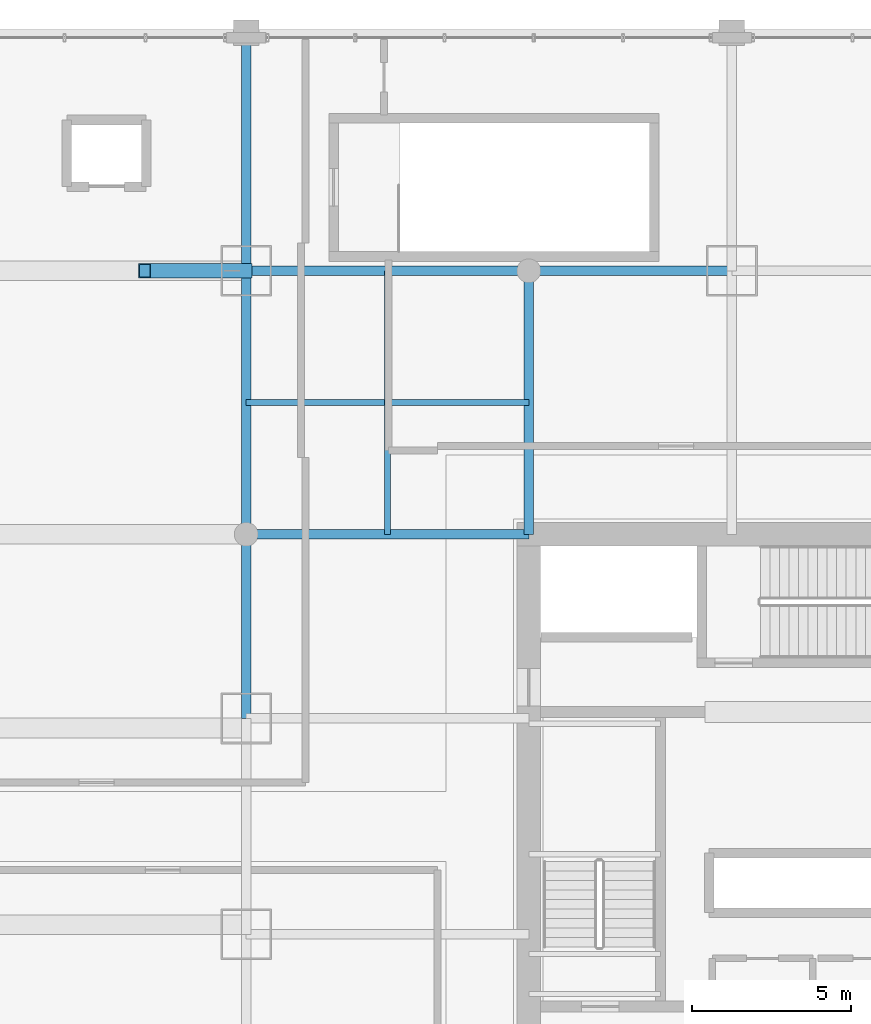
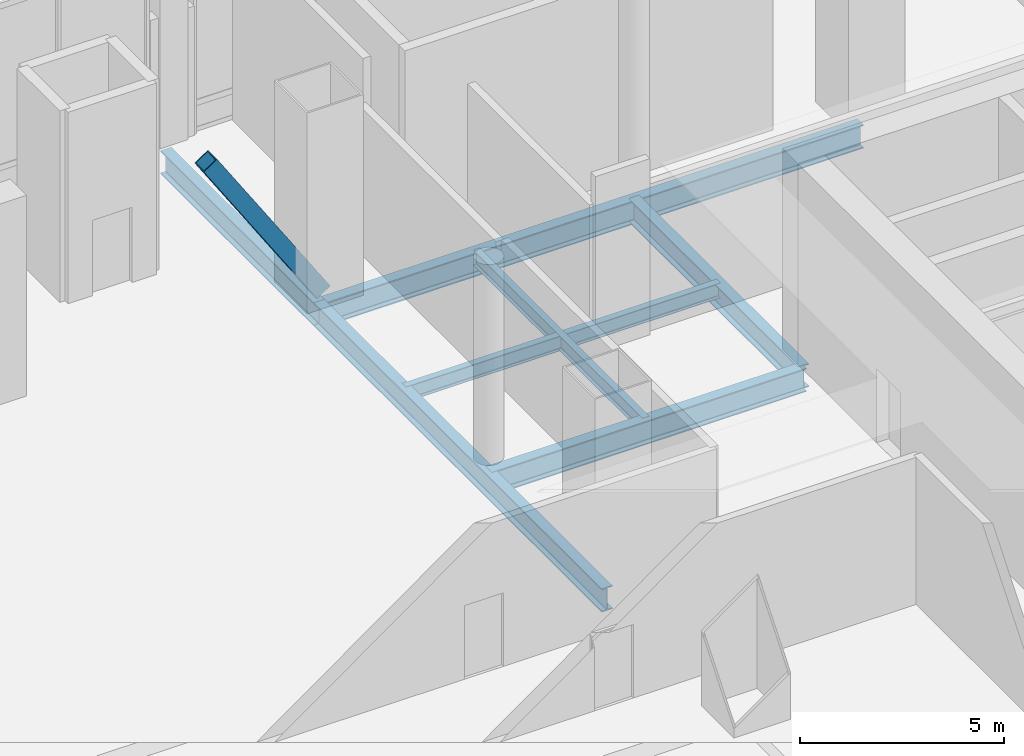
# One storey, part 12 of 38: 7 beams, 1 member.
"""IFC4 building model written with IfcOpenShell, lengths in metres."""

from ifc_helpers import new_model, si_unit, direction, frame, origin, origin_2d, place, context, subcontext, project, spatial, hollow_rectangle, i_section, extrude, material, material_profile, profile_set, type_object, element, save


model = new_model("IFC4")

# Units and contexts
model_context = context("Model", 3, precision=1e-05, world=origin(), true_north=direction((0.0, 1.0)))
body_context = subcontext(model_context, "Body", "Model", "MODEL_VIEW")
ifc_project = project(units=[si_unit("LENGTHUNIT", "METRE"), si_unit("AREAUNIT", "SQUARE_METRE"), si_unit("VOLUMEUNIT", "CUBIC_METRE"), si_unit("PLANEANGLEUNIT", "RADIAN"), si_unit("MASSUNIT", "GRAM", prefix="KILO")], contexts=[model_context])

# Site, building, storey
site_placement = place(None, origin())
site = spatial("IfcSite", under=ifc_project, at=site_placement, CompositionType="ELEMENT")
building_placement = place(site_placement, origin())
building = spatial("IfcBuilding", under=site, at=building_placement, Name="Punatoya Terracotta Tower", CompositionType="ELEMENT")
storey_placement = place(building_placement, frame((0.0, 0.0, 22.199951171875)))
storey = spatial("IfcBuildingStorey", under=building, at=storey_placement, Name="L04", CompositionType="ELEMENT", Elevation=22.199951171875)

# Beams
ifc_material_1 = material(Name="Steel S355", Category="steel")
ifc_material_profile_1 = material_profile(ifc_material_1, i_section(OverallWidth=0.300048828125, OverallDepth=0.699951171875, WebThickness=0.01708984375, FlangeThickness=0.031982421875, FilletRadius=0.01806640625, at=origin_2d()))
ifc_profile_set_1 = profile_set([ifc_material_profile_1], Name="Steel S355")
beam_type_1 = type_object("IfcBeamType", Name="BM-PRI-700", PredefinedType="BEAM", material=ifc_profile_set_1)
beam_1_placement = place(storey_placement, frame((-19.10009765625, 17.5, -0.72998046875), z_axis=(1.0, 0.0, 0.0), x_axis=(0.0, 1.0, 0.0)))
element("IfcBeam", 1, at=beam_1_placement, inside=storey, type_object=beam_type_1, Name="BM-L04-RG-N1", PredefinedType="BEAM", context=body_context, shape_type="SweptSolid", body=[
    extrude(i_section(OverallWidth=0.300048828125, OverallDepth=0.699951171875, WebThickness=0.01708984375, FlangeThickness=0.031982421875, FilletRadius=0.01806640625, at=origin_2d()), origin(), (0.0, 0.0, 1.0), 15.300048828125),
])
beam_2_placement = place(storey_placement, frame((-19.10009765625, 3.39990234375, -0.72998046875), z_axis=(0.0, 1.0, 0.0), x_axis=(-1.0, 0.0, 0.0)))
element("IfcBeam", 2, at=beam_2_placement, inside=storey, type_object=beam_type_1, Name="BM-L04-RG-W3", PredefinedType="BEAM", context=body_context, shape_type="SweptSolid", body=[
    extrude(i_section(OverallWidth=0.300048828125, OverallDepth=0.699951171875, WebThickness=0.01708984375, FlangeThickness=0.031982421875, FilletRadius=0.01806640625, at=origin_2d()), origin(), (0.0, 0.0, 1.0), 14.10009765625),
])
beam_3_placement = place(storey_placement, frame((-19.10009765625, 9.199951171875, -0.72998046875), z_axis=(1.0, 0.0, 0.0), x_axis=(0.0, 1.0, 0.0)))
element("IfcBeam", 3, at=beam_3_placement, inside=storey, type_object=beam_type_1, Name="BM-L04-PR-WN", PredefinedType="BEAM", context=body_context, shape_type="SweptSolid", body=[
    extrude(i_section(OverallWidth=0.300048828125, OverallDepth=0.699951171875, WebThickness=0.01708984375, FlangeThickness=0.031982421875, FilletRadius=0.01806640625, at=origin_2d()), origin(), (0.0, 0.0, 1.0), 8.900146484375),
])
beam_4_placement = place(storey_placement, frame((-10.199951171875, 9.199951171875, -0.72998046875), z_axis=(0.0, 1.0, 0.0), x_axis=(-1.0, 0.0, 0.0)))
element("IfcBeam", 4, at=beam_4_placement, inside=storey, type_object=beam_type_1, Name="BM-L04-PR-N1", PredefinedType="BEAM", context=body_context, shape_type="SweptSolid", body=[
    extrude(i_section(OverallWidth=0.300048828125, OverallDepth=0.699951171875, WebThickness=0.01708984375, FlangeThickness=0.031982421875, FilletRadius=0.01806640625, at=origin_2d()), origin(), (0.0, 0.0, 1.0), 8.300048828125),
])
beam_5_placement = place(storey_placement, frame((-19.10009765625, 17.5, -0.72998046875), z_axis=(0.0, 1.0, 0.0), x_axis=(-1.0, 0.0, 0.0)))
element("IfcBeam", 5, at=beam_5_placement, inside=storey, type_object=beam_type_1, Name="BM-L04-M19W-17", PredefinedType="BEAM", context=body_context, shape_type="SweptSolid", body=[
    extrude(i_section(OverallWidth=0.300048828125, OverallDepth=0.699951171875, WebThickness=0.01708984375, FlangeThickness=0.031982421875, FilletRadius=0.01806640625, at=origin_2d()), origin(), (0.0, 0.0, 1.0), 7.5),
])
ifc_material_profile_2 = material_profile(ifc_material_1, i_section(OverallWidth=0.18994140625, OverallDepth=0.449951171875, WebThickness=0.009521484375, FlangeThickness=0.0146484375, FilletRadius=0.01806640625, at=origin_2d()))
ifc_profile_set_2 = profile_set([ifc_material_profile_2], Name="Steel S355")
beam_type_2 = type_object("IfcBeamType", Name="BM-SEC-450", PredefinedType="JOIST", material=ifc_profile_set_2)
beam_6_placement = place(storey_placement, frame((-19.10009765625, 13.35009765625, -0.60498046875), z_axis=(1.0, 0.0, 0.0), x_axis=(0.0, 1.0, 0.0)))
element("IfcBeam", 6, at=beam_6_placement, inside=storey, type_object=beam_type_2, Name="BM-L04-SJN-1", PredefinedType="JOIST", context=body_context, shape_type="SweptSolid", body=[
    extrude(i_section(OverallWidth=0.18994140625, OverallDepth=0.449951171875, WebThickness=0.009521484375, FlangeThickness=0.0146484375, FilletRadius=0.01806640625, at=origin_2d()), origin(), (0.0, 0.0, 1.0), 8.900146484375),
])
beam_7_placement = place(storey_placement, frame((-14.64990234375, 9.199951171875, -0.60498046875), z_axis=(0.0, 1.0, 0.0), x_axis=(-1.0, 0.0, 0.0)))
element("IfcBeam", 7, at=beam_7_placement, inside=storey, type_object=beam_type_2, Name="BM-L04-SJW-2", PredefinedType="JOIST", context=body_context, shape_type="SweptSolid", body=[
    extrude(i_section(OverallWidth=0.18994140625, OverallDepth=0.449951171875, WebThickness=0.009521484375, FlangeThickness=0.0146484375, FilletRadius=0.01806640625, at=origin_2d()), origin(), (0.0, 0.0, 1.0), 8.300048828125),
])

# Member
ifc_material_2 = material(Name="Steel S460", Category="steel")
ifc_material_profile_3 = material_profile(ifc_material_2, hollow_rectangle(XDim=0.449951171875, YDim=0.449951171875, WallThickness=0.02490234375, at=origin_2d()))
ifc_profile_set_3 = profile_set([ifc_material_profile_3], Name="Steel S460")
member_type = type_object("IfcMemberType", Name="MEM-STR-450", PredefinedType="STRUT", material=ifc_profile_set_3)
member_placement = place(storey_placement, frame((-19.10009765625, 17.5, 0.02001953125), z_axis=(-0.54677159325, 0.0, 0.837281807288), x_axis=(0.0, -1.0, 0.0)))
element("IfcMember", 8, at=member_placement, inside=storey, type_object=member_type, Name="L05 Cantilever Raking Knee-Strut W2", PredefinedType="STRUT", context=body_context, shape_type="SweptSolid", body=[
    extrude(hollow_rectangle(XDim=0.449951171875, YDim=0.449951171875, WallThickness=0.02490234375, at=origin_2d()), origin(), (0.0, 0.0, 1.0), 5.8525390625),
])

save(model, "model.ifc")
